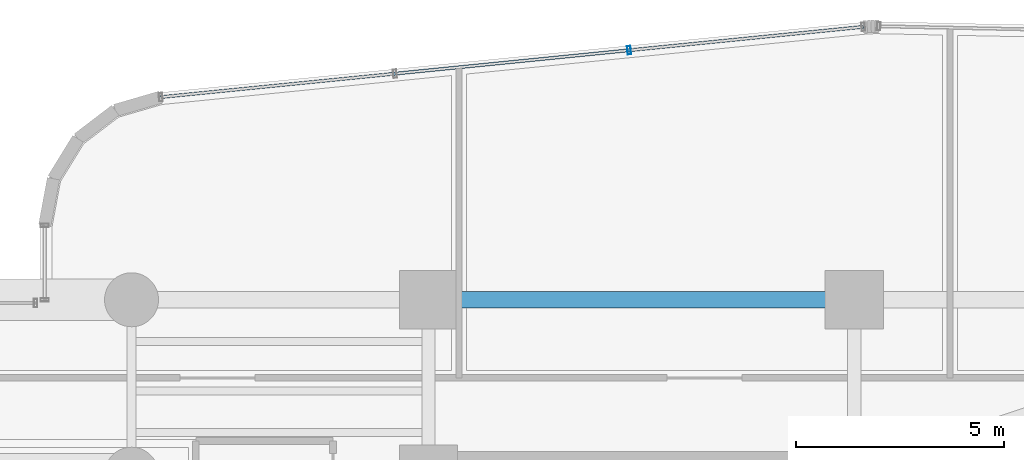
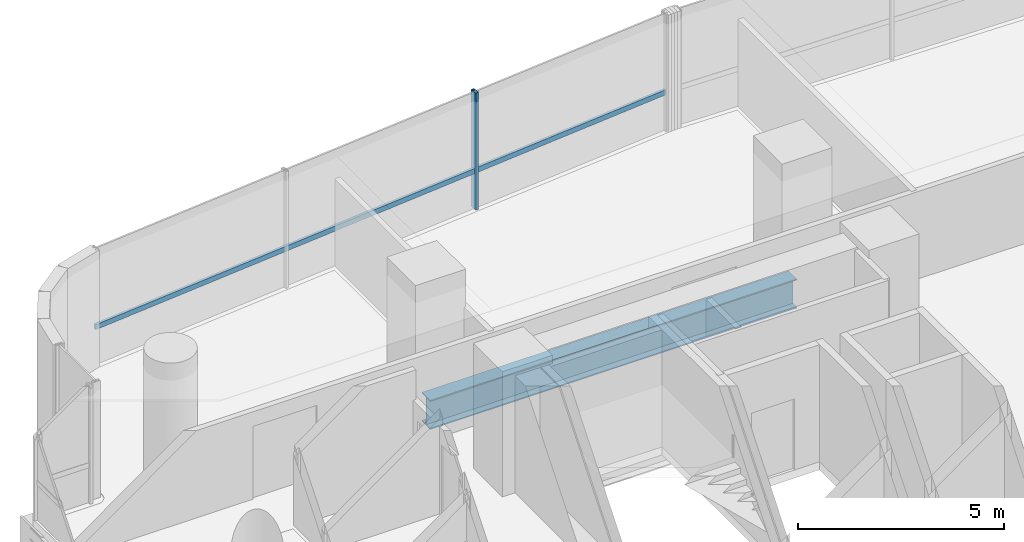
# One storey, part 20 of 40: 2 members, 1 beam, 1 element without a shape of its own.
"""IFC4 building model written with IfcOpenShell, lengths in metres."""

from ifc_helpers import new_model, si_unit, direction, frame, origin, origin_2d, place, context, subcontext, project, spatial, hollow_rectangle, i_section, extrude, source, transform, mapped, material, material_profile, profile_set, type_object, element, aggregate, save


model = new_model("IFC4")

# Units and contexts
model_context = context("Model", 3, precision=1e-05, world=origin(), true_north=direction((0.0, 1.0)))
body_context = subcontext(model_context, "Body", "Model", "MODEL_VIEW")
ifc_project = project(units=[si_unit("LENGTHUNIT", "METRE"), si_unit("AREAUNIT", "SQUARE_METRE"), si_unit("VOLUMEUNIT", "CUBIC_METRE"), si_unit("PLANEANGLEUNIT", "RADIAN"), si_unit("MASSUNIT", "GRAM", prefix="KILO")], contexts=[model_context])

# Site, building, storey
site_placement = place(None, origin())
site = spatial("IfcSite", under=ifc_project, at=site_placement, CompositionType="ELEMENT")
building_placement = place(site_placement, origin())
building = spatial("IfcBuilding", under=site, at=building_placement, Name="Valdorenza Pilgrim Sanctuary Tower", CompositionType="ELEMENT")
storey_placement = place(building_placement, frame((0.0, 0.0, 51.89990234375)))
storey = spatial("IfcBuildingStorey", under=building, at=storey_placement, Name="L12", CompositionType="ELEMENT", Elevation=51.89990234375)

# Beam
ifc_material_1 = material(Name="Steel ASTM A992 Grade 50", Category="steel")
ifc_material_profile_1 = material_profile(ifc_material_1, i_section(OverallWidth=0.39990234375, OverallDepth=0.862060546875, WebThickness=0.019775390625, FlangeThickness=0.032470703125, at=origin_2d()), Name="W33X221")
ifc_profile_set_1 = profile_set([ifc_material_profile_1], Name="Steel ASTM A992 Grade 50")
beam_type = type_object("IfcBeamType", Name="STR-BM-GRD-W33", PredefinedType="BEAM", material=ifc_profile_set_1)
shared_shape_1 = source(origin(), body_context, "Body", "SweptSolid", [
    extrude(i_section(OverallWidth=0.39990234375, OverallDepth=0.862060546875, WebThickness=0.019775390625, FlangeThickness=0.032470703125, at=origin_2d()), origin(), (0.0, 0.0, 1.0), 10.25),
])
beam_placement = place(storey_placement, frame((-22.64990234375, 14.800048828125, -0.6708984375), z_axis=(1.0, 0.0, 0.0), x_axis=(0.0, 1.0, 0.0)))
element("IfcBeam", 1, at=beam_placement, inside=storey, type_object=beam_type, Name="L12 Floor Girder CA-XC-N2", PredefinedType="BEAM", context=body_context, shape_type="MappedRepresentation", body=[
    mapped(shared_shape_1, transform((0.0, 0.0, 0.0), x_axis=(1.0, 0.0, 0.0), y_axis=(0.0, 1.0, 0.0), z_axis=(0.0, 0.0, 1.0), scale=1.0)),
])

# Curtain wall, members
ifc_material_2 = material(Name="Curtain-wall IGU glazing", Category="glass")
curtain_wall_type = type_object("IfcCurtainWallType", Name="CW-SYS-02", PredefinedType="NOTDEFINED", material=ifc_material_2)
curtain_wall_placement = place(storey_placement, origin())
curtain_wall = element("IfcCurtainWall", 2, at=curtain_wall_placement, inside=storey, type_object=curtain_wall_type, Name="L12 Curtain Wall CW-L12-1-6", PredefinedType="NOTDEFINED")
ifc_material_3 = material(Name="Anodised aluminium AW-6060", Category="aluminium")
ifc_material_profile_2 = material_profile(ifc_material_3, hollow_rectangle(XDim=0.074951171875, YDim=0.14990234375, WallThickness=0.00390625, at=origin_2d()), Name="ALU-T 150x75x4")
ifc_profile_set_2 = profile_set([ifc_material_profile_2], Name="Anodised aluminium AW-6060")
member_type_1 = type_object("IfcMemberType", Name="CW-TRN-02", PredefinedType="USERDEFINED", material=ifc_profile_set_2)
shared_shape_2 = source(origin(), body_context, "Body", "SweptSolid", [
    extrude(hollow_rectangle(XDim=0.074951171875, YDim=0.14990234375, WallThickness=0.00390625, at=origin_2d()), origin(), (0.0, 0.0, 1.0), 17.0),
])
member_1_placement = place(storey_placement, frame((-29.097412109375, 19.6796875, 1.1201171875), z_axis=(0.99503662143, 0.099509406661, 0.0), x_axis=(-0.099509406661, 0.99503662143, 0.0)))
member_1 = element("IfcMember", 3, at=member_1_placement, type_object=member_type_1, Name="CW-L12-1-6 Transom 1", ObjectType="TRANSOM", PredefinedType="USERDEFINED", context=body_context, shape_type="MappedRepresentation", body=[
    mapped(shared_shape_2, transform((0.0, 0.0, 0.0), x_axis=(1.0, 0.0, 0.0), y_axis=(0.0, 1.0, 0.0), z_axis=(0.0, 0.0, 1.0), scale=1.0)),
])
ifc_material_profile_3 = material_profile(ifc_material_3, hollow_rectangle(XDim=0.0849609375, YDim=0.199951171875, WallThickness=0.0048828125, at=origin_2d()), Name="ALU-M 200x85x5")
ifc_profile_set_3 = profile_set([ifc_material_profile_3], Name="Anodised aluminium AW-6060")
member_type_2 = type_object("IfcMemberType", Name="CW-MUL-02", PredefinedType="MULLION", material=ifc_profile_set_3)
shared_shape_3 = source(origin(), body_context, "Body", "SweptSolid", [
    extrude(hollow_rectangle(XDim=0.0849609375, YDim=0.199951171875, WallThickness=0.0048828125, at=origin_2d()), origin(), (0.0, 0.0, 1.0), 3.460205078125),
])
member_2_placement = place(storey_placement, frame((-17.820556640625, 20.8076171875, 0.0), z_axis=(0.0, 0.0, 1.0), x_axis=(0.995038220239, 0.099493418189, 0.0)))
member_2 = element("IfcMember", 4, at=member_2_placement, type_object=member_type_2, Name="CW-L12-1-6 Mullion 3", PredefinedType="MULLION", context=body_context, shape_type="MappedRepresentation", body=[
    mapped(shared_shape_3, transform((0.0, 0.0, 0.0), x_axis=(1.0, 0.0, 0.0), y_axis=(0.0, 1.0, 0.0), z_axis=(0.0, 0.0, 1.0), scale=1.0)),
])
aggregate(curtain_wall, [member_2, member_1])

save(model, "model.ifc")
